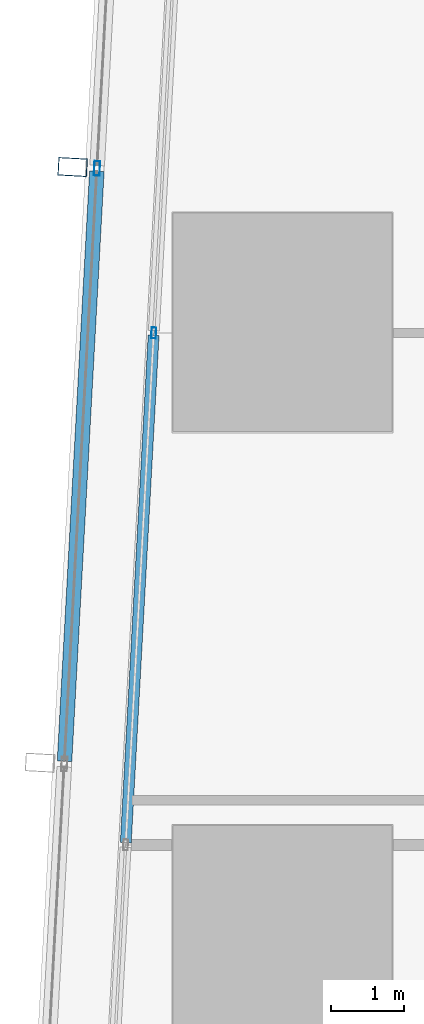
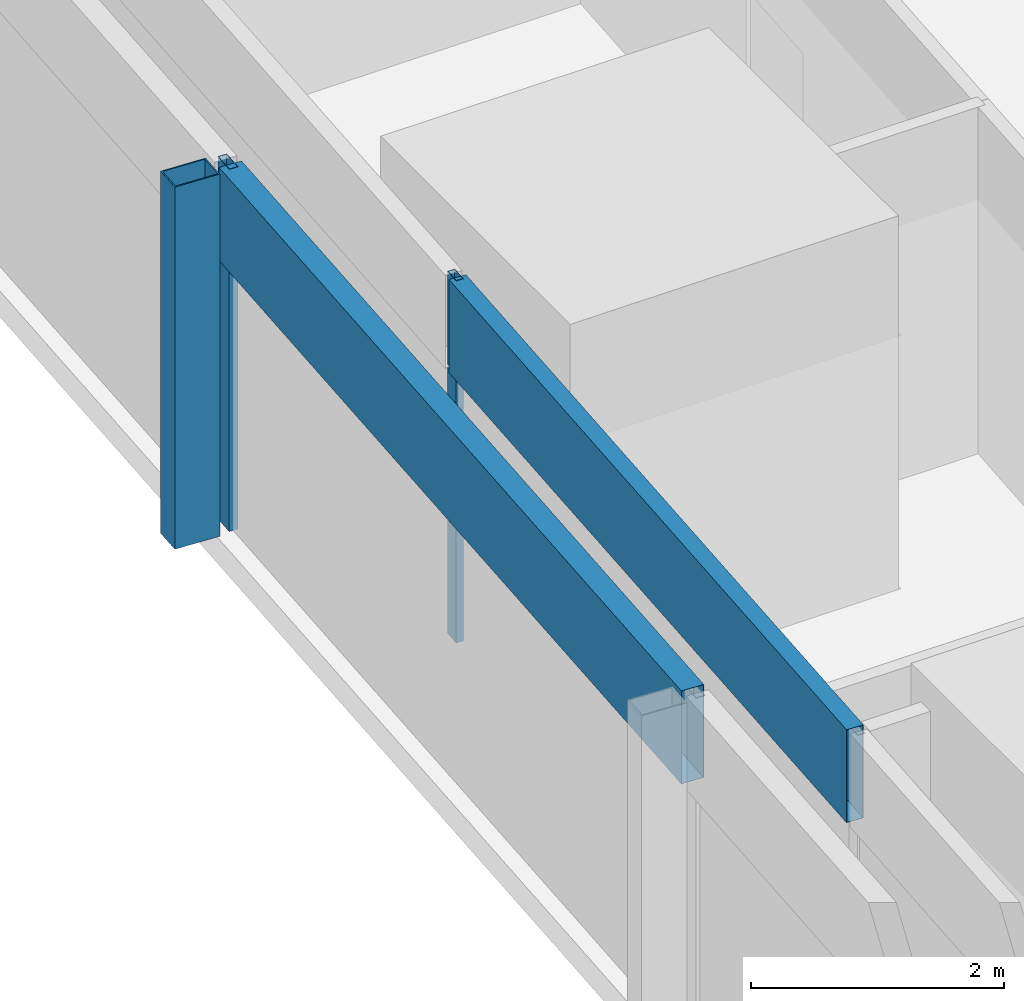
# One storey, part 7 of 39: 5 members, 2 elements without a shape of their own.
"""IFC4 building model written with IfcOpenShell, lengths in metres."""

from ifc_helpers import new_model, si_unit, direction, frame, origin, origin_2d, place, context, subcontext, project, spatial, hollow_rectangle, extrude, material, material_profile, profile_set, type_object, element, aggregate, save


model = new_model("IFC4")

# Units and contexts
model_context = context("Model", 3, precision=1e-05, world=origin(), true_north=direction((0.0, 1.0)))
body_context = subcontext(model_context, "Body", "Model", "MODEL_VIEW")
ifc_project = project(units=[si_unit("LENGTHUNIT", "METRE"), si_unit("AREAUNIT", "SQUARE_METRE"), si_unit("VOLUMEUNIT", "CUBIC_METRE"), si_unit("PLANEANGLEUNIT", "RADIAN"), si_unit("MASSUNIT", "GRAM", prefix="KILO")], contexts=[model_context])

# Site, building, storey
site_placement = place(None, origin())
site = spatial("IfcSite", under=ifc_project, at=site_placement, CompositionType="ELEMENT")
building_placement = place(site_placement, origin())
building = spatial("IfcBuilding", under=site, at=building_placement, Name="Rekha Terrace Tower", CompositionType="ELEMENT")
storey_placement = place(building_placement, frame((0.0, 0.0, 155.300048828125)))
storey = spatial("IfcBuildingStorey", under=building, at=storey_placement, Name="L39", CompositionType="ELEMENT", Elevation=155.300048828125)

# Curtain wall, member
ifc_material_1 = material(Name="Aluminium framing", Category="aluminium")
curtain_wall_type_1 = type_object("IfcCurtainWallType", Name="CW2 double skin outer glazing", PredefinedType="USERDEFINED", material=ifc_material_1)
curtain_wall_1_placement = place(storey_placement, origin())
curtain_wall_1 = element("IfcCurtainWall", 1, at=curtain_wall_1_placement, inside=storey, type_object=curtain_wall_type_1, Name="CW2 double skin outer glazing", ObjectType="DOUBLE SKIN OUTER GLAZING", PredefinedType="USERDEFINED")
ifc_material_2 = material(Name="Steel S355 with fluorocarbon finish", Category="steel")
ifc_material_profile_1 = material_profile(ifc_material_2, hollow_rectangle(XDim=0.25, YDim=0.39990234375, WallThickness=0.012451171875, at=origin_2d()), Name="RHS400x250x12.5")
ifc_profile_set_1 = profile_set([ifc_material_profile_1], Name="Steel S355 with fluorocarbon finish")
member_type_1 = type_object("IfcMemberType", Name="BL1 facade blade RHS 400 x 250", PredefinedType="USERDEFINED", material=ifc_profile_set_1)
member_1_placement = place(storey_placement, frame((5.521728515625, 44.128662109375, 0.0), z_axis=(0.0, 0.0, 1.0), x_axis=(-0.054742798353, -0.998500488747, 0.0)))
member_1 = element("IfcMember", 2, at=member_1_placement, type_object=member_type_1, Name="Facade blade", ObjectType="FACADE BLADE", PredefinedType="USERDEFINED", context=body_context, shape_type="SweptSolid", body=[
    extrude(hollow_rectangle(XDim=0.25, YDim=0.39990234375, WallThickness=0.012451171875, at=origin_2d()), origin(), (0.0, 0.0, 1.0), 3.5),
])

# Curtain wall, members
curtain_wall_type_2 = type_object("IfcCurtainWallType", Name="CW1 double skin inner glazing", PredefinedType="USERDEFINED", material=ifc_material_1)
curtain_wall_2_placement = place(storey_placement, origin())
curtain_wall_2 = element("IfcCurtainWall", 3, at=curtain_wall_2_placement, inside=storey, type_object=curtain_wall_type_2, Name="CW1 double skin inner glazing", ObjectType="DOUBLE SKIN INNER GLAZING", PredefinedType="USERDEFINED")
ifc_material_3 = material(Name="Aluminium mullion section", Category="aluminium")
ifc_material_profile_2 = material_profile(ifc_material_3, hollow_rectangle(XDim=0.06494140625, YDim=0.14990234375, WallThickness=0.00390625, at=origin_2d()), Name="AL RHS 65x150")
ifc_profile_set_2 = profile_set([ifc_material_profile_2], Name="Aluminium mullion section")
member_type_2 = type_object("IfcMemberType", Name="CW1 mullion RHS 65 x 150", PredefinedType="MULLION", material=ifc_profile_set_2)
member_2_placement = place(storey_placement, frame((6.6337890625, 41.854248046875, 0.0), z_axis=(0.0, 0.0, 1.0), x_axis=(0.998500513181, -0.05474235269, 0.0)))
member_2 = element("IfcMember", 4, at=member_2_placement, type_object=member_type_2, Name="CW1 mullion 2", PredefinedType="MULLION", context=body_context, shape_type="SweptSolid", body=[
    extrude(hollow_rectangle(XDim=0.06494140625, YDim=0.14990234375, WallThickness=0.00390625, at=origin_2d()), origin(), (0.0, 0.0, 1.0), 3.5),
])
ifc_material_4 = material(Name="Insulated aluminium spandrel box", Category="aluminium")
ifc_material_profile_3 = material_profile(ifc_material_4, hollow_rectangle(XDim=0.14990234375, YDim=0.89990234375, WallThickness=0.0029296875, at=origin_2d()), Name="AL SPANDREL BOX 150x900")
ifc_profile_set_3 = profile_set([ifc_material_profile_3], Name="Insulated aluminium spandrel box")
member_type_3 = type_object("IfcMemberType", Name="CW1 spandrel transom 150 x 900", PredefinedType="USERDEFINED", material=ifc_profile_set_3)
member_3_placement = place(storey_placement, frame((6.632080078125, 41.822021484375, 3.050048828125), z_axis=(-0.05474212282, -0.998500525783, 0.0), x_axis=(0.998500525783, -0.05474212282, 0.0)))
member_3 = element("IfcMember", 5, at=member_3_placement, type_object=member_type_3, Name="CW1 spandrel transom 2", ObjectType="TRANSOM", PredefinedType="USERDEFINED", context=body_context, shape_type="SweptSolid", body=[
    extrude(hollow_rectangle(XDim=0.14990234375, YDim=0.89990234375, WallThickness=0.0029296875, at=origin_2d()), origin(), (0.0, 0.0, 1.0), 6.96630859375),
])
aggregate(curtain_wall_2, [member_2, member_3])

# Member
ifc_material_profile_4 = material_profile(ifc_material_3, hollow_rectangle(XDim=0.080078125, YDim=0.199951171875, WallThickness=0.00390625, at=origin_2d()), Name="AL RHS 80x200")
ifc_profile_set_4 = profile_set([ifc_material_profile_4], Name="Aluminium mullion section")
member_type_4 = type_object("IfcMemberType", Name="CW2 mullion RHS 80 x 200", PredefinedType="MULLION", material=ifc_profile_set_4)
member_4_placement = place(storey_placement, frame((5.856201171875, 44.1103515625, 0.0), z_axis=(0.0, 0.0, 1.0), x_axis=(0.99850051318, -0.054742352707, 0.0)))
member_4 = element("IfcMember", 6, at=member_4_placement, type_object=member_type_4, Name="CW2 mullion 3", PredefinedType="MULLION", context=body_context, shape_type="SweptSolid", body=[
    extrude(hollow_rectangle(XDim=0.080078125, YDim=0.199951171875, WallThickness=0.00390625, at=origin_2d()), origin(), (0.0, 0.0, 1.0), 3.5),
])

ifc_material_profile_5 = material_profile(ifc_material_4, hollow_rectangle(XDim=0.199951171875, YDim=0.89990234375, WallThickness=0.0029296875, at=origin_2d()), Name="AL SPANDREL BOX 200x900")
ifc_profile_set_5 = profile_set([ifc_material_profile_5], Name="Insulated aluminium spandrel box")
member_type_5 = type_object("IfcMemberType", Name="CW2 spandrel transom 200 x 900", PredefinedType="USERDEFINED", material=ifc_profile_set_5)
member_5_placement = place(storey_placement, frame((5.85400390625, 44.070556640625, 3.050048828125), z_axis=(-0.054735499102, -0.998500888902, 0.0), x_axis=(0.998500888902, -0.054735499102, 0.0)))
member_5 = element("IfcMember", 7, at=member_5_placement, type_object=member_type_5, Name="CW2 spandrel transom 3", ObjectType="TRANSOM", PredefinedType="USERDEFINED", context=body_context, shape_type="SweptSolid", body=[
    extrude(hollow_rectangle(XDim=0.199951171875, YDim=0.89990234375, WallThickness=0.0029296875, at=origin_2d()), origin(), (0.0, 0.0, 1.0), 8.10009765625),
])

aggregate(curtain_wall_1, [member_4, member_5, member_1])

save(model, "model.ifc")
